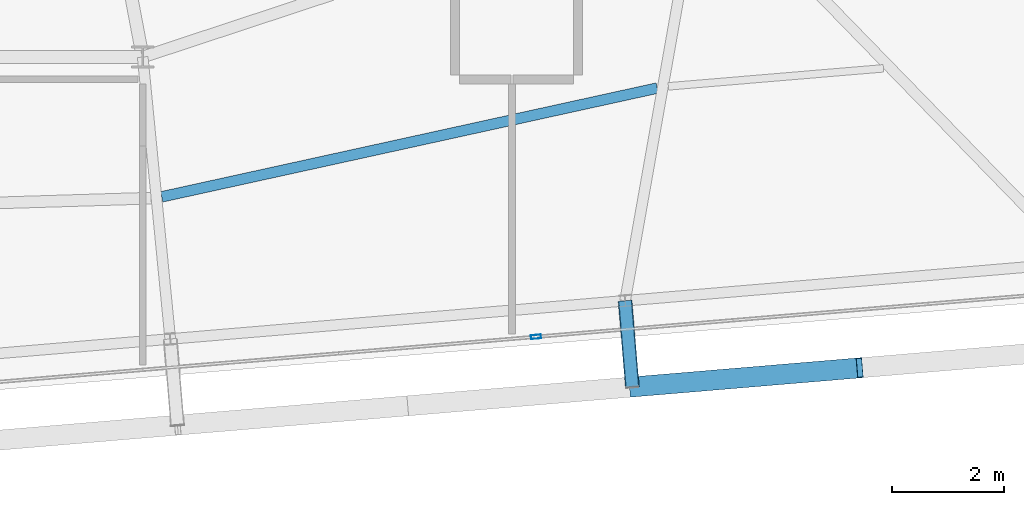
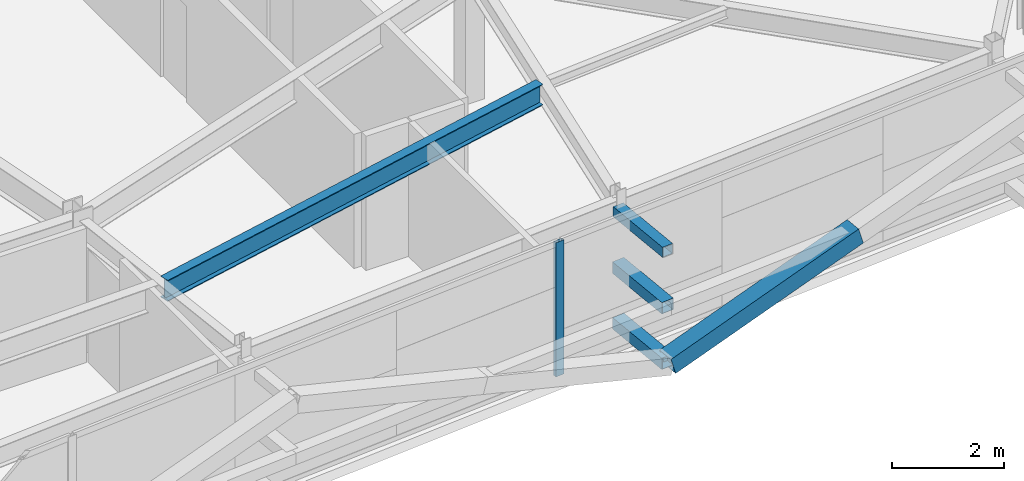
# One storey, part 16 of 39: 5 members, 1 beam, 1 element without a shape of its own.
"""IFC4 building model written with IfcOpenShell, lengths in metres."""

from ifc_helpers import new_model, si_unit, direction, frame, origin, origin_2d, place, context, subcontext, project, spatial, hollow_rectangle, i_section, extrude, source, transform, mapped, material, layer, layer_set, material_profile, profile_set, type_object, element, aggregate, save


model = new_model("IFC4")

# Units and contexts
model_context = context("Model", 3, precision=1e-05, world=origin(), true_north=direction((0.0, 1.0)))
body_context = subcontext(model_context, "Body", "Model", "MODEL_VIEW")
ifc_project = project(units=[si_unit("LENGTHUNIT", "METRE"), si_unit("AREAUNIT", "SQUARE_METRE"), si_unit("VOLUMEUNIT", "CUBIC_METRE"), si_unit("PLANEANGLEUNIT", "RADIAN"), si_unit("MASSUNIT", "GRAM", prefix="KILO")], contexts=[model_context])

# Site, building, storey
site_placement = place(None, origin())
site = spatial("IfcSite", under=ifc_project, at=site_placement, CompositionType="ELEMENT")
building_placement = place(site_placement, origin())
building = spatial("IfcBuilding", under=site, at=building_placement, Name="Taldren Reach Tower", CompositionType="ELEMENT")
storey_placement = place(building_placement, frame((0.0, 0.0, 197.75)))
storey = spatial("IfcBuildingStorey", under=building, at=storey_placement, Name="L60", CompositionType="ELEMENT", Elevation=197.75)

# Members
ifc_material_1 = material(Name="Steel Gr 350 (C350L0)", Category="steel")
ifc_material_profile_1 = material_profile(ifc_material_1, hollow_rectangle(XDim=0.25, YDim=0.25, WallThickness=0.010009765625, at=origin_2d()), Name="250x250x10.0SHS")
ifc_profile_set_1 = profile_set([ifc_material_profile_1], Name="Steel Gr 350 (C350L0)")
member_type_1 = type_object("IfcMemberType", Name="MB-POST250", PredefinedType="POST", material=ifc_profile_set_1)
shared_shape_1 = source(origin(), body_context, "Body", "SweptSolid", [
    extrude(hollow_rectangle(XDim=0.25, YDim=0.25, WallThickness=0.010009765625, at=origin_2d()), origin(), (0.0, 0.0, 1.0), 1.550048828125),
])
for number, where, z_axis, x_axis, name in (
    (1, (50.644775390625, 4.83203125, 0.219970703125), (0.083788408178, -0.996483568683, 0.0), (0.996483568683, 0.083788408178, 0.0), "Exoskeleton base diaphragm tie strut B4-S5 L60"),
    (2, (50.644775390625, 4.83203125, 1.43505859375), (0.083788408178, -0.996483568683, 0.0), (0.996483568683, 0.083788408178, 0.0), "Exoskeleton mid-tier diaphragm tie B4-S5 L60"),
):
    element("IfcMember", number, at=place(storey_placement, frame(where, z_axis=z_axis, x_axis=x_axis)), inside=storey, type_object=member_type_1, Name=name, PredefinedType="POST", context=body_context, shape_type="MappedRepresentation", body=[
        mapped(shared_shape_1, transform((0.0, 0.0, 0.0), scale=1.0)),
    ])

# Beam
ifc_material_2 = material(Name="Steel Gr 350 (350PLUS)", Category="steel")
ifc_material_profile_2 = material_profile(ifc_material_2, i_section(OverallWidth=0.19091796875, OverallDepth=0.4599609375, WebThickness=0.010009765625, FlangeThickness=0.01611328125, at=origin_2d()), Name="460UB82.1")
ifc_profile_set_2 = profile_set([ifc_material_profile_2], Name="Steel Gr 350 (350PLUS)")
beam_type = type_object("IfcBeamType", Name="BM-UB460A", PredefinedType="BEAM", material=ifc_profile_set_2)
shared_shape_2 = source(origin(), body_context, "Body", "SweptSolid", [
    extrude(i_section(OverallWidth=0.19091796875, OverallDepth=0.4599609375, WebThickness=0.010009765625, FlangeThickness=0.01611328125, at=origin_2d()), origin(), (0.0, 0.0, 1.0), 9.09228515625),
])
beam_placement = place(storey_placement, frame((42.3408203125, 6.6943359375, 2.699951171875), z_axis=(0.97674420602, 0.214407919647, 0.0), x_axis=(-0.214407919647, 0.97674420602, 0.0)))
element("IfcBeam", 3, at=beam_placement, inside=storey, type_object=beam_type, Name="Secondary floor beam B4 J4 L60", PredefinedType="BEAM", context=body_context, shape_type="MappedRepresentation", body=[
    mapped(shared_shape_2, transform((0.0, 0.0, 0.0), scale=1.0)),
])

# Members
ifc_material_3 = material(Name="Steel Gr 450 (C450L0)", Category="steel")
ifc_material_profile_3 = material_profile(ifc_material_3, hollow_rectangle(XDim=0.219970703125, YDim=0.219970703125, WallThickness=0.00830078125, at=origin_2d()), Name="220x220x8.2SHS")
ifc_profile_set_3 = profile_set([ifc_material_profile_3], Name="Steel Gr 450 (C450L0)")
member_type_2 = type_object("IfcMemberType", Name="MB-TIE219", PredefinedType="STRUT", material=ifc_profile_set_3)
shared_shape_3 = source(origin(), body_context, "Body", "SweptSolid", [
    extrude(hollow_rectangle(XDim=0.219970703125, YDim=0.219970703125, WallThickness=0.00830078125, at=origin_2d()), origin(), (0.0, 0.0, 1.0), 1.550048828125),
])
member_1_placement = place(storey_placement, frame((50.644775390625, 4.83203125, 2.64990234375), z_axis=(0.083788408178, -0.996483568683, 0.0), x_axis=(0.996483568683, 0.083788408178, 0.0)))
element("IfcMember", 4, at=member_1_placement, inside=storey, type_object=member_type_2, Name="Exoskeleton diaphragm tie strut B4-S5 L60", PredefinedType="STRUT", context=body_context, shape_type="MappedRepresentation", body=[
    mapped(shared_shape_3, transform((0.0, 0.0, 0.0), scale=1.0)),
])
ifc_material_profile_4 = material_profile(ifc_material_3, hollow_rectangle(XDim=0.360107421875, YDim=0.360107421875, WallThickness=0.0126953125, at=origin_2d()), Name="360x360x12.7SHS")
ifc_profile_set_4 = profile_set([ifc_material_profile_4], Name="Steel Gr 450 (C450L0)")
member_type_3 = type_object("IfcMemberType", Name="MB-EXO356", PredefinedType="BRACE", material=ifc_profile_set_4)
shared_shape_4 = source(origin(), body_context, "Body", "SweptSolid", [
    extrude(hollow_rectangle(XDim=0.360107421875, YDim=0.360107421875, WallThickness=0.0126953125, at=origin_2d()), origin(), (0.0, 0.0, 1.0), 4.2666015625),
])
member_2_placement = place(storey_placement, frame((50.774658203125, 3.287353515625, 0.219970703125), z_axis=(0.955229159097, 0.080222312271, 0.284783486572), x_axis=(-0.083687662192, 0.996492034688, 0.0)))
element("IfcMember", 5, at=member_2_placement, inside=storey, type_object=member_type_3, Name="Exoskeleton Diagrid Brace B4-S5 L60", PredefinedType="BRACE", context=body_context, shape_type="MappedRepresentation", body=[
    mapped(shared_shape_4, transform((0.0, 0.0, 0.0), scale=1.0)),
])

# Curtain wall, member
ifc_material_4 = material(Name="Aluminium and Low-E Glass Unitised System", Category="aluminium")
ifc_layer = layer(ifc_material_4, 0.159912109375)
ifc_layer_set = layer_set([ifc_layer], Name="Aluminium and Low-E Glass Unitised System")
curtain_wall_type = type_object("IfcCurtainWallType", Name="CW-SYS-5", PredefinedType="NOTDEFINED", material=ifc_layer_set)
curtain_wall_placement = place(storey_placement, origin())
curtain_wall = element("IfcCurtainWall", 6, at=curtain_wall_placement, inside=storey, type_object=curtain_wall_type, Name="Unitised curtain wall CW-L60-S", PredefinedType="NOTDEFINED")
ifc_material_5 = material(Name="Anodised Aluminium 6063-T6", Category="aluminium")
ifc_material_profile_5 = material_profile(ifc_material_5, hollow_rectangle(XDim=0.070068359375, YDim=0.179931640625, WallThickness=0.00390625, at=origin_2d()), Name="ALU-180x70x4RHS")
ifc_profile_set_5 = profile_set([ifc_material_profile_5], Name="Anodised Aluminium 6063-T6")
member_type_4 = type_object("IfcMemberType", Name="CW-MUL-180", PredefinedType="MULLION", material=ifc_profile_set_5)
shared_shape_5 = source(origin(), body_context, "Body", "SweptSolid", [
    extrude(hollow_rectangle(XDim=0.070068359375, YDim=0.179931640625, WallThickness=0.00390625, at=origin_2d()), origin(), (0.0, 0.0, 1.0), 2.929931640625),
])
member_3_placement = place(storey_placement, frame((49.04833984375, 4.18603515625, 0.0), z_axis=(0.0, 0.0, 1.0), x_axis=(-0.083677894865, 0.996492854922, 0.0)))
member_3 = element("IfcMember", 7, at=member_3_placement, type_object=member_type_4, Name="CW-5 mullion 4", PredefinedType="MULLION", context=body_context, shape_type="MappedRepresentation", body=[
    mapped(shared_shape_5, transform((0.0, 0.0, 0.0), scale=1.0)),
])
aggregate(curtain_wall, [member_3])

save(model, "model.ifc")
